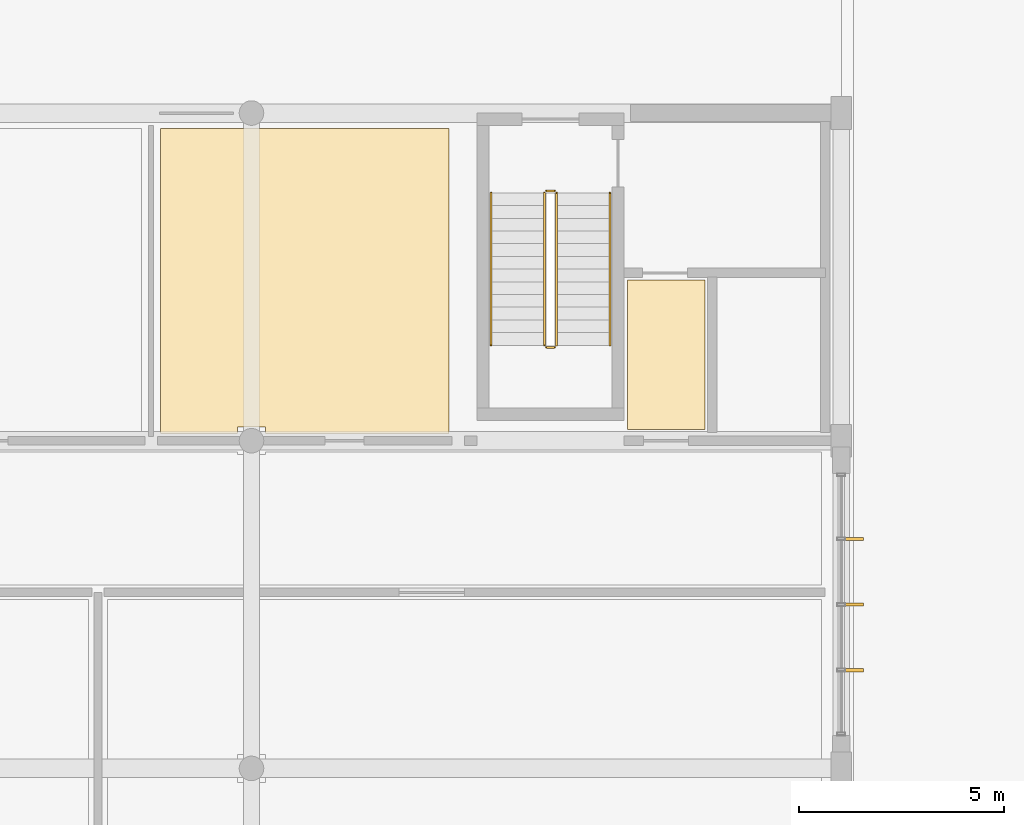
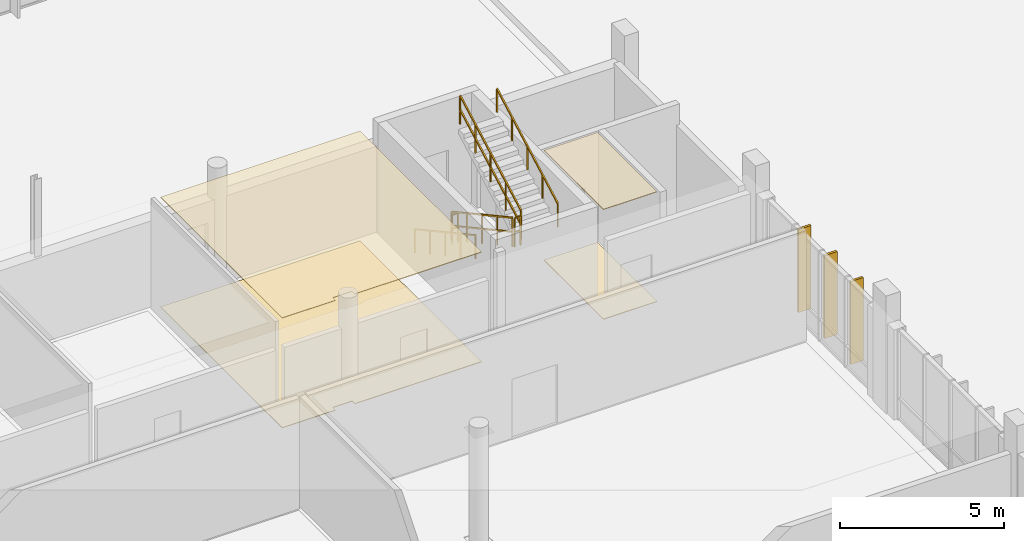
# One storey, part 224 of 233: 6 railings, 4 coverings, 3 shading devices.
"""IFC4 building model written with IfcOpenShell, lengths in metres."""

from ifc_helpers import new_model, si_unit, direction, frame, origin, origin_2d, place, context, subcontext, project, spatial, polyline, rectangle, outline, extrude, material, layer, layer_set, type_object, element, save


model = new_model("IFC4")

# Units and contexts
model_context = context("Model", 3, precision=1e-05, world=origin(), true_north=direction((0.0, 1.0)))
body_context = subcontext(model_context, "Body", "Model", "MODEL_VIEW")
ifc_project = project(units=[si_unit("LENGTHUNIT", "METRE"), si_unit("AREAUNIT", "SQUARE_METRE"), si_unit("VOLUMEUNIT", "CUBIC_METRE"), si_unit("PLANEANGLEUNIT", "RADIAN"), si_unit("MASSUNIT", "GRAM", prefix="KILO")], contexts=[model_context])

# Site, building, storey
site_placement = place(None, origin())
site = spatial("IfcSite", under=ifc_project, at=site_placement, CompositionType="ELEMENT")
building_placement = place(site_placement, origin())
building = spatial("IfcBuilding", under=site, at=building_placement, Name="Zavelmont Quarter", CompositionType="ELEMENT")
storey_placement = place(building_placement, origin())
storey = spatial("IfcBuildingStorey", under=building, at=storey_placement, Name="L00", CompositionType="ELEMENT", Elevation=0.0)

# Coverings
ifc_material_1 = material(Name="Perforated acoustic gypsum board")
ifc_layer_1 = layer(ifc_material_1, 0.02490234375)
ifc_layer_set_1 = layer_set([ifc_layer_1], Name="Perforated acoustic gypsum board")
covering_type_1 = type_object("IfcCoveringType", Name="CV-CL01", PredefinedType="CEILING", material=ifc_layer_set_1)
covering_1_placement = place(storey_placement, frame((0.0, 0.0, 4.094970703125)))
element("IfcCovering", 1, at=covering_1_placement, inside=storey, type_object=covering_type_1, Name="L00 Lobby Vestibule acoustic ceiling", PredefinedType="CEILING", context=body_context, shape_type="SweptSolid", body=[
    extrude(outline(polyline([(107.580078125, 81.919921875), (109.469970703125, 81.919921875), (109.469970703125, 78.280029296875), (107.580078125, 78.280029296875), (107.580078125, 81.919921875)])), origin(), (0.0, 0.0, 1.0), 0.025146484375),
])
covering_2_placement = place(storey_placement, frame((0.0, 0.0, 4.094970703125)))
element("IfcCovering", 2, at=covering_2_placement, inside=storey, type_object=covering_type_1, Name="L00 Cloakroom and Chair Store acoustic ceiling", PredefinedType="CEILING", context=body_context, shape_type="SweptSolid", body=[
    extrude(outline(polyline([(96.179931640625, 85.6201171875), (103.219970703125, 85.6201171875), (103.219970703125, 78.179931640625), (98.739990234375, 78.179931640625), (98.739990234375, 78.340087890625), (98.06005859375, 78.340087890625), (98.06005859375, 78.179931640625), (96.179931640625, 78.179931640625), (96.179931640625, 85.6201171875)])), origin(), (0.0, 0.0, 1.0), 0.025146484375),
])
ifc_material_2 = material(Name="Engineered European oak parquet")
ifc_layer_2 = layer(ifc_material_2, 0.02197265625)
ifc_layer_set_2 = layer_set([ifc_layer_2], Name="Engineered European oak parquet")
covering_type_2 = type_object("IfcCoveringType", Name="CV-FL01", PredefinedType="FLOORING", material=ifc_layer_set_2)
covering_3_placement = place(storey_placement, origin())
element("IfcCovering", 3, at=covering_3_placement, inside=storey, type_object=covering_type_2, Name="L00 Lobby Vestibule floor finish", PredefinedType="FLOORING", context=body_context, shape_type="SweptSolid", body=[
    extrude(outline(polyline([(107.580078125, 81.919921875), (109.469970703125, 81.919921875), (109.469970703125, 78.280029296875), (107.580078125, 78.280029296875), (107.580078125, 81.919921875)])), origin(), (0.0, 0.0, 1.0), 0.02197265625),
])
covering_4_placement = place(storey_placement, origin())
element("IfcCovering", 4, at=covering_4_placement, inside=storey, type_object=covering_type_2, Name="L00 Cloakroom and Chair Store floor finish", PredefinedType="FLOORING", context=body_context, shape_type="SweptSolid", body=[
    extrude(outline(polyline([(96.179931640625, 85.6201171875), (103.219970703125, 85.6201171875), (103.219970703125, 78.179931640625), (98.739990234375, 78.179931640625), (98.739990234375, 78.340087890625), (98.06005859375, 78.340087890625), (98.06005859375, 78.179931640625), (96.179931640625, 78.179931640625), (96.179931640625, 85.6201171875)])), origin(), (0.0, 0.0, 1.0), 0.02197265625),
])

# Railings
ifc_material_3 = material(Name="Powder-coated steel stair guardrail", Category="steel")
railing_type_1 = type_object("IfcRailingType", Name="RL-GRD1", PredefinedType="GUARDRAIL", material=ifc_material_3)
railing_1_placement = place(storey_placement, frame((105.550048828125, 84.050048828125, 0.169189453125)))
element("IfcRailing", 5, at=railing_1_placement, inside=storey, type_object=railing_type_1, Name="L00 ST10 stair guardrail 1", PredefinedType="GUARDRAIL", context=body_context, shape_type="SweptSolid", body=[
    extrude(rectangle(XDim=0.048095703125, YDim=0.048095703125, at=origin_2d()), frame((0.0, 0.0, 1.076171875), z_axis=(0.0, -0.877728207833, 0.479158839191), x_axis=(1.0, 0.0, 0.0)), (0.0, 0.0, 1.0), 4.23828125),
    extrude(rectangle(XDim=0.048095703125, YDim=0.048095703125, at=origin_2d()), frame((0.0, 0.0, 0.550048828125), z_axis=(0.0, -0.877728207833, 0.479158839191), x_axis=(1.0, 0.0, 0.0)), (0.0, 0.0, 1.0), 4.23828125),
    extrude(rectangle(XDim=0.0419921875, YDim=0.0419921875, at=origin_2d()), origin(), (0.0, 0.0, 1.0), 1.052001953125),
    extrude(rectangle(XDim=0.0419921875, YDim=0.0419921875, at=origin_2d()), frame((0.0, -0.929931640625, 0.5078125)), (0.0, 0.0, 1.0), 1.052001953125),
    extrude(rectangle(XDim=0.0419921875, YDim=0.0419921875, at=origin_2d()), frame((0.0, -1.85986328125, 1.015380859375)), (0.0, 0.0, 1.0), 1.052001953125),
    extrude(rectangle(XDim=0.0419921875, YDim=0.0419921875, at=origin_2d()), frame((0.0, -2.7900390625, 1.52294921875)), (0.0, 0.0, 1.0), 1.052001953125),
    extrude(rectangle(XDim=0.0419921875, YDim=0.0419921875, at=origin_2d()), frame((0.0, -3.719970703125, 2.03076171875)), (0.0, 0.0, 1.0), 1.052001953125),
])
railing_2_placement = place(storey_placement, frame((105.60009765625, 80.280029296875, 2.199951171875)))
element("IfcRailing", 6, at=railing_2_placement, inside=storey, type_object=railing_type_1, Name="L00 ST10 stair guardrail 2", PredefinedType="GUARDRAIL", context=body_context, shape_type="SweptSolid", body=[
    extrude(rectangle(XDim=0.048095703125, YDim=0.048095703125, at=origin_2d()), frame((0.0, 0.0, 1.076171875), z_axis=(1.0, 0.0, 0.0), x_axis=(0.0, 1.0, 0.0)), (0.0, 0.0, 1.0), 0.199951171875),
    extrude(rectangle(XDim=0.048095703125, YDim=0.048095703125, at=origin_2d()), frame((0.0, 0.0, 0.550048828125), z_axis=(1.0, 0.0, 0.0), x_axis=(0.0, 1.0, 0.0)), (0.0, 0.0, 1.0), 0.199951171875),
    extrude(rectangle(XDim=0.0419921875, YDim=0.0419921875, at=origin_2d()), origin(), (0.0, 0.0, 1.0), 1.052001953125),
    extrude(rectangle(XDim=0.0419921875, YDim=0.0419921875, at=origin_2d()), frame((0.199951171875, 0.0, 0.0)), (0.0, 0.0, 1.0), 1.052001953125),
])
railing_3_placement = place(storey_placement, frame((105.85009765625, 80.330078125, 2.369140625)))
element("IfcRailing", 7, at=railing_3_placement, inside=storey, type_object=railing_type_1, Name="L00 ST10 stair guardrail 3", PredefinedType="GUARDRAIL", context=body_context, shape_type="SweptSolid", body=[
    extrude(rectangle(XDim=0.048095703125, YDim=0.048095703125, at=origin_2d()), frame((0.0, 0.0, 1.076171875), z_axis=(0.0, 0.877728207833, 0.479158839191), x_axis=(-1.0, 0.0, 0.0)), (0.0, 0.0, 1.0), 4.23828125),
    extrude(rectangle(XDim=0.048095703125, YDim=0.048095703125, at=origin_2d()), frame((0.0, 0.0, 0.550048828125), z_axis=(0.0, 0.877728207833, 0.479158839191), x_axis=(-1.0, 0.0, 0.0)), (0.0, 0.0, 1.0), 4.23828125),
    extrude(rectangle(XDim=0.0419921875, YDim=0.0419921875, at=origin_2d()), origin(), (0.0, 0.0, 1.0), 1.052001953125),
    extrude(rectangle(XDim=0.0419921875, YDim=0.0419921875, at=origin_2d()), frame((0.0, 0.929931640625, 0.5078125)), (0.0, 0.0, 1.0), 1.052001953125),
    extrude(rectangle(XDim=0.0419921875, YDim=0.0419921875, at=origin_2d()), frame((0.0, 1.85986328125, 1.015380859375)), (0.0, 0.0, 1.0), 1.052001953125),
    extrude(rectangle(XDim=0.0419921875, YDim=0.0419921875, at=origin_2d()), frame((0.0, 2.7900390625, 1.52294921875)), (0.0, 0.0, 1.0), 1.052001953125),
    extrude(rectangle(XDim=0.0419921875, YDim=0.0419921875, at=origin_2d()), frame((0.0, 3.719970703125, 2.03076171875)), (0.0, 0.0, 1.0), 1.052001953125),
])
railing_4_placement = place(storey_placement, frame((105.60009765625, 84.10009765625, 0.0)))
element("IfcRailing", 8, at=railing_4_placement, inside=storey, type_object=railing_type_1, Name="L00 ST10 stair guardrail 4", PredefinedType="GUARDRAIL", context=body_context, shape_type="SweptSolid", body=[
    extrude(rectangle(XDim=0.048095703125, YDim=0.048095703125, at=origin_2d()), frame((0.0, 0.0, 1.076171875), z_axis=(1.0, 0.0, 0.0), x_axis=(0.0, 1.0, 0.0)), (0.0, 0.0, 1.0), 0.199951171875),
    extrude(rectangle(XDim=0.048095703125, YDim=0.048095703125, at=origin_2d()), frame((0.0, 0.0, 0.550048828125), z_axis=(1.0, 0.0, 0.0), x_axis=(0.0, 1.0, 0.0)), (0.0, 0.0, 1.0), 0.199951171875),
    extrude(rectangle(XDim=0.0419921875, YDim=0.0419921875, at=origin_2d()), origin(), (0.0, 0.0, 1.0), 1.052001953125),
    extrude(rectangle(XDim=0.0419921875, YDim=0.0419921875, at=origin_2d()), frame((0.199951171875, 0.0, 0.0)), (0.0, 0.0, 1.0), 1.052001953125),
])
ifc_material_4 = material(Name="Brushed stainless-steel wall handrail", Category="steel")
railing_type_2 = type_object("IfcRailingType", Name="RL-HND1", PredefinedType="HANDRAIL", material=ifc_material_4)
railing_5_placement = place(storey_placement, frame((104.25, 84.050048828125, 0.169189453125)))
element("IfcRailing", 9, at=railing_5_placement, inside=storey, type_object=railing_type_2, Name="L00 ST10 stair handrail 1", PredefinedType="HANDRAIL", context=body_context, shape_type="SweptSolid", body=[
    extrude(rectangle(XDim=0.048095703125, YDim=0.048095703125, at=origin_2d()), frame((0.0, 0.0, 0.8759765625), z_axis=(0.0, -0.877728207833, 0.479158839191), x_axis=(1.0, 0.0, 0.0)), (0.0, 0.0, 1.0), 4.23828125),
    extrude(rectangle(XDim=0.0419921875, YDim=0.0419921875, at=origin_2d()), origin(), (0.0, 0.0, 1.0), 0.851806640625),
    extrude(rectangle(XDim=0.0419921875, YDim=0.0419921875, at=origin_2d()), frame((0.0, -0.929931640625, 0.5078125)), (0.0, 0.0, 1.0), 0.851806640625),
    extrude(rectangle(XDim=0.0419921875, YDim=0.0419921875, at=origin_2d()), frame((0.0, -1.85986328125, 1.015380859375)), (0.0, 0.0, 1.0), 0.851806640625),
    extrude(rectangle(XDim=0.0419921875, YDim=0.0419921875, at=origin_2d()), frame((0.0, -2.7900390625, 1.52294921875)), (0.0, 0.0, 1.0), 0.851806640625),
    extrude(rectangle(XDim=0.0419921875, YDim=0.0419921875, at=origin_2d()), frame((0.0, -3.719970703125, 2.03076171875)), (0.0, 0.0, 1.0), 0.851806640625),
])
railing_6_placement = place(storey_placement, frame((107.14990234375, 80.330078125, 2.369140625)))
element("IfcRailing", 10, at=railing_6_placement, inside=storey, type_object=railing_type_2, Name="L00 ST10 stair handrail 2", PredefinedType="HANDRAIL", context=body_context, shape_type="SweptSolid", body=[
    extrude(rectangle(XDim=0.048095703125, YDim=0.048095703125, at=origin_2d()), frame((0.0, 0.0, 0.8759765625), z_axis=(0.0, 0.877728207833, 0.479158839191), x_axis=(-1.0, 0.0, 0.0)), (0.0, 0.0, 1.0), 4.23828125),
    extrude(rectangle(XDim=0.0419921875, YDim=0.0419921875, at=origin_2d()), origin(), (0.0, 0.0, 1.0), 0.851806640625),
    extrude(rectangle(XDim=0.0419921875, YDim=0.0419921875, at=origin_2d()), frame((0.0, 0.929931640625, 0.5078125)), (0.0, 0.0, 1.0), 0.851806640625),
    extrude(rectangle(XDim=0.0419921875, YDim=0.0419921875, at=origin_2d()), frame((0.0, 1.85986328125, 1.015380859375)), (0.0, 0.0, 1.0), 0.851806640625),
    extrude(rectangle(XDim=0.0419921875, YDim=0.0419921875, at=origin_2d()), frame((0.0, 2.7900390625, 1.52294921875)), (0.0, 0.0, 1.0), 0.851806640625),
    extrude(rectangle(XDim=0.0419921875, YDim=0.0419921875, at=origin_2d()), frame((0.0, 3.719970703125, 2.03076171875)), (0.0, 0.0, 1.0), 0.851806640625),
])

# Shading devices
ifc_material_5 = material(Name="Anodised aluminium EN AW-6063-T6", Category="aluminium")
shading_device_type = type_object("IfcShadingDeviceType", Name="SD02", PredefinedType="JALOUSIE", material=ifc_material_5)
for number, where, z_axis, x_axis, name in (
    (11, (113.114990234375, 72.39990234375, 0.050048828125), (0.0, 0.0, 1.0), (0.0, 1.0, 0.0), "L00 solar brise-soleil fin SD02"),
    (12, (113.114990234375, 74.0, 0.050048828125), (0.0, 0.0, 1.0), (0.0, 1.0, 0.0), "L00 solar brise-soleil fin SD02"),
    (13, (113.114990234375, 75.60009765625, 0.050048828125), (0.0, 0.0, 1.0), (0.0, 1.0, 0.0), "L00 solar brise-soleil fin SD02"),
):
    element("IfcShadingDevice", number, at=place(storey_placement, frame(where, z_axis=z_axis, x_axis=x_axis)), inside=storey, type_object=shading_device_type, Name=name, PredefinedType="JALOUSIE", context=body_context, shape_type="SweptSolid", body=[
        extrude(rectangle(XDim=0.080078125, YDim=0.449951171875, at=origin_2d()), origin(), (0.0, 0.0, 1.0), 3.10009765625),
    ])

save(model, "model.ifc")
